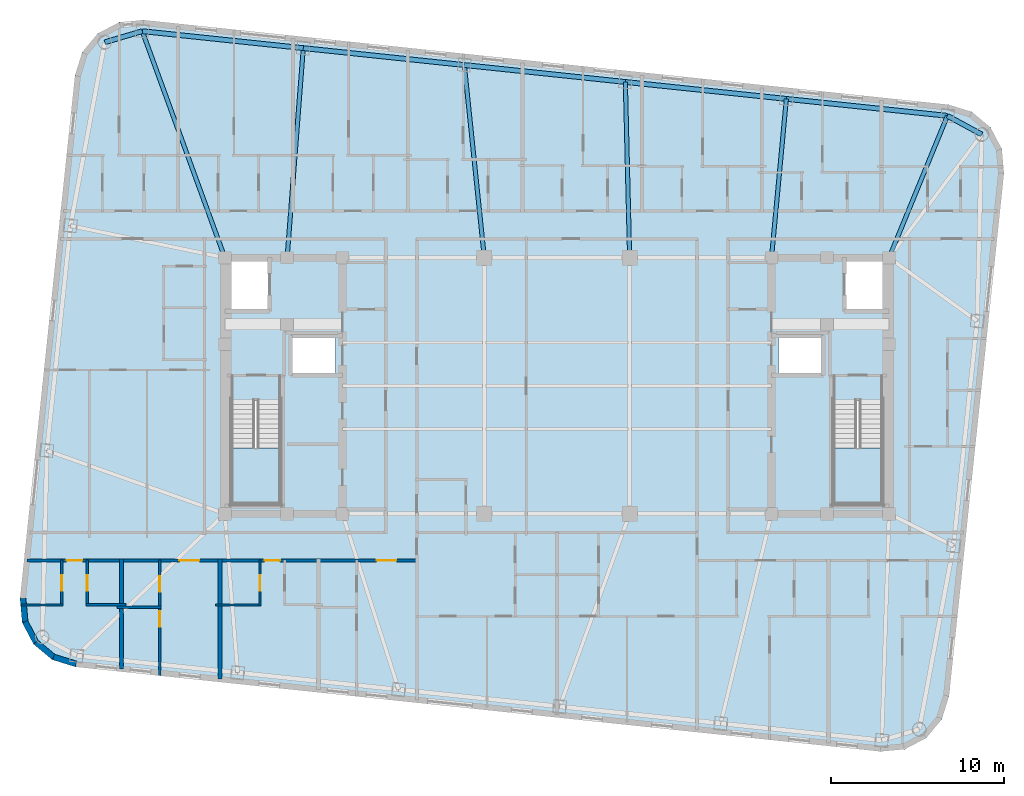
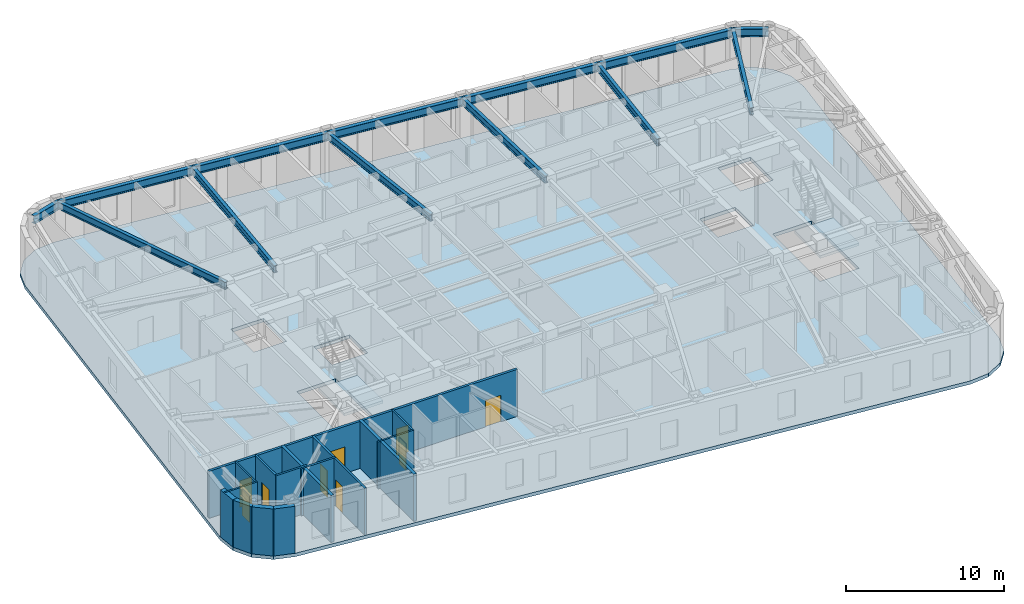
# One storey, part 2 of 11: 16 walls, 13 beams, 9 doors, 3 slabs, 9 openings, 2 elements without a shape of their own.
"""IFC4 building model written with IfcOpenShell, lengths in metres."""

from ifc_helpers import new_model, si_unit, direction, frame, frame_2d, origin, origin_2d, place, context, subcontext, project, spatial, polyline, rectangle, i_section, outline, extrude, material, layer, layer_set, material_profile, profile_set, type_object, element, fill, aggregate, save


model = new_model("IFC4")

# Units and contexts
model_context = context("Model", 3, precision=1e-05, world=origin(), true_north=direction((0.0, 1.0)))
body_context = subcontext(model_context, "Body", "Model", "MODEL_VIEW")
ifc_project = project(units=[si_unit("LENGTHUNIT", "METRE"), si_unit("AREAUNIT", "SQUARE_METRE"), si_unit("VOLUMEUNIT", "CUBIC_METRE"), si_unit("PLANEANGLEUNIT", "RADIAN"), si_unit("MASSUNIT", "GRAM", prefix="KILO")], contexts=[model_context])

# Site, building, storey
site_placement = place(None, origin())
site = spatial("IfcSite", under=ifc_project, at=site_placement, CompositionType="ELEMENT")
building_placement = place(site_placement, origin())
building = spatial("IfcBuilding", under=site, at=building_placement, Name="Voryun Gate Residences", CompositionType="ELEMENT")
storey_placement = place(building_placement, frame((0.0, 0.0, 299.0)))
storey = spatial("IfcBuildingStorey", under=building, at=storey_placement, Name="L74", CompositionType="ELEMENT", Elevation=299.0)

# Beams
ifc_material_1 = material(Name="Steel SM355", Category="steel")
ifc_material_profile_1 = material_profile(ifc_material_1, i_section(OverallWidth=0.280029296875, OverallDepth=0.6201171875, WebThickness=0.013916015625, FlangeThickness=0.02197265625, FilletRadius=0.01806640625, at=origin_2d()), Name="H-620x280x14x22")
ifc_profile_set_1 = profile_set([ifc_material_profile_1], Name="Steel SM355")
beam_type_1 = type_object("IfcBeamType", Name="BM_EXO_SPANDREL_H", PredefinedType="SPANDREL", material=ifc_profile_set_1)
beam_1_placement = place(storey_placement, frame((24.55322265625, 14.52734375, 3.324951171875), z_axis=(-0.878844363117, 0.477108567746, 0.0), x_axis=(-0.477108567746, -0.878844363117, 0.0)))
element("IfcBeam", 1, at=beam_1_placement, inside=storey, type_object=beam_type_1, Name="BM-L74-SPAND-10", PredefinedType="SPANDREL", context=body_context, shape_type="SweptSolid", body=[
    extrude(i_section(OverallWidth=0.280029296875, OverallDepth=0.6201171875, WebThickness=0.013916015625, FlangeThickness=0.02197265625, FilletRadius=0.01806640625, at=origin_2d()), origin(), (0.0, 0.0, 1.0), 2.257568359375),
])
beam_2_placement = place(storey_placement, frame((22.569091796875, 15.6044921875, 3.324951171875), z_axis=(-0.994520592114, 0.104540862157, 0.0), x_axis=(-0.104540862157, -0.994520592114, 0.0)))
element("IfcBeam", 2, at=beam_2_placement, inside=storey, type_object=beam_type_1, Name="BM-L74-SPAND-11", PredefinedType="SPANDREL", context=body_context, shape_type="SweptSolid", body=[
    extrude(i_section(OverallWidth=0.280029296875, OverallDepth=0.6201171875, WebThickness=0.013916015625, FlangeThickness=0.02197265625, FilletRadius=0.01806640625, at=origin_2d()), origin(), (0.0, 0.0, 1.0), 9.360107421875),
])
beam_3_placement = place(storey_placement, frame((13.26025390625, 16.5830078125, 3.324951171875), z_axis=(-0.994523018663, 0.104517775278, 0.0), x_axis=(-0.104517775278, -0.994523018663, 0.0)))
element("IfcBeam", 3, at=beam_3_placement, inside=storey, type_object=beam_type_1, Name="BM-L74-SPAND-12", PredefinedType="SPANDREL", context=body_context, shape_type="SweptSolid", body=[
    extrude(i_section(OverallWidth=0.280029296875, OverallDepth=0.6201171875, WebThickness=0.013916015625, FlangeThickness=0.02197265625, FilletRadius=0.01806640625, at=origin_2d()), origin(), (0.0, 0.0, 1.0), 9.35986328125),
])
for number, where, z_axis, x_axis, name in (
    (4, (3.95166015625, 17.561279296875, 3.324951171875), (-0.994520592114, 0.104540862157, 0.0), (-0.104540862157, -0.994520592114, 0.0), "BM-L74-SPAND-13"),
    (5, (-5.357177734375, 18.539794921875, 3.324951171875), (-0.994523303591, 0.104515064059, 0.0), (-0.104515064059, -0.994523303591, 0.0), "BM-L74-SPAND-14"),
):
    element("IfcBeam", number, at=place(storey_placement, frame(where, z_axis=z_axis, x_axis=x_axis)), inside=storey, type_object=beam_type_1, Name=name, PredefinedType="SPANDREL", context=body_context, shape_type="SweptSolid", body=[
        extrude(i_section(OverallWidth=0.280029296875, OverallDepth=0.6201171875, WebThickness=0.013916015625, FlangeThickness=0.02197265625, FilletRadius=0.01806640625, at=origin_2d()), origin(), (0.0, 0.0, 1.0), 9.360107421875),
    ])
beam_4_placement = place(storey_placement, frame((-14.666015625, 19.51806640625, 3.324951171875), z_axis=(-0.994520307047, 0.104543574031, 0.0), x_axis=(-0.104543574031, -0.994520307047, 0.0)))
element("IfcBeam", 6, at=beam_4_placement, inside=storey, type_object=beam_type_1, Name="BM-L74-SPAND-15", PredefinedType="SPANDREL", context=body_context, shape_type="SweptSolid", body=[
    extrude(i_section(OverallWidth=0.280029296875, OverallDepth=0.6201171875, WebThickness=0.013916015625, FlangeThickness=0.02197265625, FilletRadius=0.01806640625, at=origin_2d()), origin(), (0.0, 0.0, 1.0), 9.35986328125),
])
beam_5_placement = place(storey_placement, frame((-23.974609375, 20.49658203125, 3.324951171875), z_axis=(-0.958805748412, -0.28406255792, 0.0), x_axis=(0.28406255792, -0.958805748412, 0.0)))
element("IfcBeam", 7, at=beam_5_placement, inside=storey, type_object=beam_type_1, Name="BM-L74-SPAND-16", PredefinedType="SPANDREL", context=body_context, shape_type="SweptSolid", body=[
    extrude(i_section(OverallWidth=0.280029296875, OverallDepth=0.6201171875, WebThickness=0.013916015625, FlangeThickness=0.02197265625, FilletRadius=0.01806640625, at=origin_2d()), origin(), (0.0, 0.0, 1.0), 2.2578125),
])
ifc_material_2 = material(Name="Steel SM355", Category="steel")
ifc_material_profile_2 = material_profile(ifc_material_2, i_section(OverallWidth=0.239990234375, OverallDepth=0.550048828125, WebThickness=0.011962890625, FlangeThickness=0.02001953125, FilletRadius=0.01806640625, at=origin_2d()), Name="H-550x240x12x20")
ifc_profile_set_2 = profile_set([ifc_material_profile_2], Name="Steel SM355")
beam_type_2 = type_object("IfcBeamType", Name="BM_GIRD_550", PredefinedType="USERDEFINED", material=ifc_profile_set_2)
beam_6_placement = place(storey_placement, frame((19.199951171875, 7.39990234375, 3.360107421875), z_axis=(0.379860811741, 0.925043655026, 0.0), x_axis=(-0.925043655026, 0.379860811741, 0.0)))
element("IfcBeam", 8, at=beam_6_placement, inside=storey, type_object=beam_type_2, Name="BM-L74-RAD-N1", ObjectType="GIRDER", PredefinedType="USERDEFINED", context=body_context, shape_type="SweptSolid", body=[
    extrude(i_section(OverallWidth=0.239990234375, OverallDepth=0.550048828125, WebThickness=0.011962890625, FlangeThickness=0.02001953125, FilletRadius=0.01806640625, at=origin_2d()), origin(), (0.0, 0.0, 1.0), 8.869384765625),
])
beam_7_placement = place(storey_placement, frame((12.39990234375, 7.39990234375, 3.360107421875), z_axis=(0.093280030115, 0.995639912811, 0.0), x_axis=(-0.995639912811, 0.093280030115, 0.0)))
element("IfcBeam", 9, at=beam_7_placement, inside=storey, type_object=beam_type_2, Name="BM-L74-RAD-N2", ObjectType="GIRDER", PredefinedType="USERDEFINED", context=body_context, shape_type="SweptSolid", body=[
    extrude(i_section(OverallWidth=0.239990234375, OverallDepth=0.550048828125, WebThickness=0.011962890625, FlangeThickness=0.02001953125, FilletRadius=0.01806640625, at=origin_2d()), origin(), (0.0, 0.0, 1.0), 9.223388671875),
])
beam_8_placement = place(storey_placement, frame((4.199951171875, 7.39990234375, 3.360107421875), z_axis=(-0.024427489288, 0.999701604364, 0.0), x_axis=(-0.999701604364, -0.024427489288, 0.0)))
element("IfcBeam", 10, at=beam_8_placement, inside=storey, type_object=beam_type_2, Name="BM-L74-RAD-N3", ObjectType="GIRDER", PredefinedType="USERDEFINED", context=body_context, shape_type="SweptSolid", body=[
    extrude(i_section(OverallWidth=0.239990234375, OverallDepth=0.550048828125, WebThickness=0.011962890625, FlangeThickness=0.02001953125, FilletRadius=0.01806640625, at=origin_2d()), origin(), (0.0, 0.0, 1.0), 10.164306640625),
])
beam_9_placement = place(storey_placement, frame((-4.199951171875, 7.39990234375, 3.360107421875), z_axis=(-0.103325291149, 0.994647618109, 0.0), x_axis=(-0.994647618109, -0.103325291149, 0.0)))
element("IfcBeam", 11, at=beam_9_placement, inside=storey, type_object=beam_type_2, Name="BM-L74-RAD-N4", ObjectType="GIRDER", PredefinedType="USERDEFINED", context=body_context, shape_type="SweptSolid", body=[
    extrude(i_section(OverallWidth=0.239990234375, OverallDepth=0.550048828125, WebThickness=0.011962890625, FlangeThickness=0.02001953125, FilletRadius=0.01806640625, at=origin_2d()), origin(), (0.0, 0.0, 1.0), 11.199951171875),
])
beam_10_placement = place(storey_placement, frame((-15.60009765625, 7.39990234375, 3.360107421875), z_axis=(0.07685317718, 0.997042420942, 0.0), x_axis=(-0.997042420942, 0.07685317718, 0.0)))
element("IfcBeam", 12, at=beam_10_placement, inside=storey, type_object=beam_type_2, Name="BM-L74-RAD-N5", ObjectType="GIRDER", PredefinedType="USERDEFINED", context=body_context, shape_type="SweptSolid", body=[
    extrude(i_section(OverallWidth=0.239990234375, OverallDepth=0.550048828125, WebThickness=0.011962890625, FlangeThickness=0.02001953125, FilletRadius=0.01806640625, at=origin_2d()), origin(), (0.0, 0.0, 1.0), 12.154052734375),
])
beam_11_placement = place(storey_placement, frame((-19.199951171875, 7.39990234375, 3.360107421875), z_axis=(-0.342517773666, 0.939511348906, 0.0), x_axis=(-0.939511348906, -0.342517773666, 0.0)))
element("IfcBeam", 13, at=beam_11_placement, inside=storey, type_object=beam_type_2, Name="BM-L74-RAD-N6", ObjectType="GIRDER", PredefinedType="USERDEFINED", context=body_context, shape_type="SweptSolid", body=[
    extrude(i_section(OverallWidth=0.239990234375, OverallDepth=0.550048828125, WebThickness=0.011962890625, FlangeThickness=0.02001953125, FilletRadius=0.01806640625, at=origin_2d()), origin(), (0.0, 0.0, 1.0), 13.93994140625),
])

# Slab
ifc_material_3 = material(Name="Concrete C40/50", Category="concrete")
ifc_layer_1 = layer(ifc_material_3, 0.264892578125, Name="SLB_PENT_265")
ifc_layer_set_1 = layer_set([ifc_layer_1], Name="Concrete C40/50")
slab_type_1 = type_object("IfcSlabType", Name="SLB_PENT_265", PredefinedType="FLOOR", material=ifc_layer_set_1)
slab_1_placement = place(storey_placement, frame((0.0, 0.0, -0.264892578125)))
element("IfcSlab", 14, at=slab_1_placement, inside=storey, type_object=slab_type_1, Name="L74 Structural Floor Slab", PredefinedType="FLOOR", context=body_context, shape_type="SweptSolid", body=[
    extrude(outline(polyline([(-27.8369140625, -16.2509765625), (-29.178466796875, -15.83447265625), (-30.25830078125, -14.936279296875), (-30.912353515625, -13.693115234375), (-31.041015625, -12.29443359375), (-27.86328125, 17.93896484375), (-27.44677734375, 19.280517578125), (-26.548583984375, 20.3603515625), (-25.305419921875, 21.014404296875), (-23.90673828125, 21.14306640625), (22.636962890625, 16.2509765625), (23.978515625, 15.83447265625), (25.058349609375, 14.936279296875), (25.71240234375, 13.693115234375), (25.8408203125, 12.29443359375), (22.663330078125, -17.93896484375), (22.246826171875, -19.280517578125), (21.3486328125, -20.3603515625), (20.10546875, -21.014404296875), (18.706787109375, -21.14306640625), (-27.8369140625, -16.2509765625)]), holes=[polyline([(-15.97509765625, -0.840087890625), (-18.824951171875, -0.840087890625), (-18.824951171875, -6.85009765625), (-15.97509765625, -6.85009765625), (-15.97509765625, -0.840087890625)]), polyline([(18.824951171875, -6.85009765625), (18.824951171875, -0.840087890625), (15.97509765625, -0.840087890625), (15.97509765625, -6.85009765625), (18.824951171875, -6.85009765625)]), polyline([(-12.800048828125, 2.89990234375), (-15.39990234375, 2.89990234375), (-15.39990234375, 0.60009765625), (-12.800048828125, 0.60009765625), (-12.800048828125, 2.89990234375)]), polyline([(12.800048828125, 2.89990234375), (12.800048828125, 0.60009765625), (15.39990234375, 0.60009765625), (15.39990234375, 2.89990234375), (12.800048828125, 2.89990234375)]), polyline([(-16.60009765625, 7.199951171875), (-19.0, 7.199951171875), (-19.0, 4.300048828125), (-16.60009765625, 4.300048828125), (-16.60009765625, 7.199951171875)]), polyline([(19.0, 7.199951171875), (16.60009765625, 7.199951171875), (16.60009765625, 4.300048828125), (19.0, 4.300048828125), (19.0, 7.199951171875)])]), origin(), (0.0, 0.0, 1.0), 0.264892578125),
])

# Stair, slab
ifc_material_4 = material(Name="Concrete C40/50", Category="concrete")
stair_type = type_object("IfcStairType", Name="STR_CORE_DOGLEG_1350", PredefinedType="HALF_TURN_STAIR", material=ifc_material_4)
stair_1_placement = place(storey_placement, origin())
stair_1 = element("IfcStair", 15, at=stair_1_placement, inside=storey, type_object=stair_type, Name="L74 Special Escape Stair ST-W1", PredefinedType="HALF_TURN_STAIR")
ifc_material_5 = material(Name="Concrete C40/50", Category="concrete")
ifc_layer_2 = layer(ifc_material_5, 0.199951171875, Name="SLB_STAIR_LANDING_200")
ifc_layer_set_2 = layer_set([ifc_layer_2], Name="Concrete C40/50")
slab_type_2 = type_object("IfcSlabType", Name="SLB_STAIR_LANDING_200", PredefinedType="LANDING", material=ifc_layer_set_2)
slab_2_placement = place(storey_placement, frame((0.0, 0.0, 1.75)))
slab_2 = element("IfcSlab", 16, at=slab_2_placement, type_object=slab_type_2, Name="ST-W1 landing 1", PredefinedType="LANDING", context=body_context, shape_type="SweptSolid", body=[
    extrude(outline(polyline([(-18.824951171875, -3.60009765625), (-18.824951171875, -6.85009765625), (-15.97509765625, -6.85009765625), (-15.97509765625, -3.60009765625), (-18.824951171875, -3.60009765625)])), origin(), (0.0, 0.0, 1.0), 0.199951171875),
])
aggregate(stair_1, [slab_2])

stair_2_placement = place(storey_placement, origin())
stair_2 = element("IfcStair", 17, at=stair_2_placement, inside=storey, type_object=stair_type, Name="L74 Special Escape Stair ST-E1", PredefinedType="HALF_TURN_STAIR")
slab_3_placement = place(storey_placement, frame((0.0, 0.0, 1.75)))
slab_3 = element("IfcSlab", 18, at=slab_3_placement, type_object=slab_type_2, Name="ST-E1 landing 1", PredefinedType="LANDING", context=body_context, shape_type="SweptSolid", body=[
    extrude(outline(polyline([(15.97509765625, -3.60009765625), (15.97509765625, -6.85009765625), (18.824951171875, -6.85009765625), (18.824951171875, -3.60009765625), (15.97509765625, -3.60009765625)])), origin(), (0.0, 0.0, 1.0), 0.199951171875),
])
aggregate(stair_2, [slab_3])

# Wall, openings, doors
ifc_material_6 = material(Name="Gypsum acoustic fireboard")
ifc_layer_3 = layer(ifc_material_6, 0.179931640625, Name="W_CORR_RATED_180")
ifc_layer_set_3 = layer_set([ifc_layer_3], Name="Gypsum acoustic fireboard")
wall_type_1 = type_object("IfcWallType", Name="W_CORR_RATED_180", PredefinedType="PARTITIONING", material=ifc_layer_set_3)
wall_1_placement = place(storey_placement, frame((-30.639404296875, -10.10009765625, 0.0), z_axis=(0.0, 0.0, 1.0), x_axis=(1.0, 0.0, 0.0)))
wall_1 = element("IfcWall", 19, at=wall_1_placement, inside=storey, type_object=wall_type_1, Name="Partition wall WP-L74-SCORR-W", PredefinedType="PARTITIONING", context=body_context, shape_type="SweptSolid", body=[
    extrude(rectangle(XDim=22.559326171875, YDim=0.179931640625, at=frame_2d((11.27978515625, 0.0))), origin(), (0.0, 0.0, 1.0), 3.635009765625),
])
opening_1_placement = place(wall_1_placement, frame((2.297607421875, 0.0, 0.0)))
opening_1 = element("IfcOpeningElement", 20, at=opening_1_placement, cuts=wall_1, Name="Opening D-INT-2", PredefinedType="OPENING", context=body_context, shape_type="SweptSolid", body=[
    extrude(rectangle(XDim=0.89990234375, YDim=2.050048828125, at=frame_2d((0.449951171875, 1.02490234375))), frame((0.0, 0.099853515625, 0.0), z_axis=(0.0, -1.0, 0.0), x_axis=(1.0, 0.0, 0.0)), (0.0, 0.0, 1.0), 0.199951171875),
])
opening_2_placement = place(wall_1_placement, frame((8.81201171875, 0.0, 0.0)))
opening_2 = element("IfcOpeningElement", 21, at=opening_2_placement, cuts=wall_1, Name="Opening D-UNIT-1", PredefinedType="OPENING", context=body_context, shape_type="SweptSolid", body=[
    extrude(rectangle(XDim=1.14990234375, YDim=2.050048828125, at=frame_2d((0.574951171875, 1.02490234375))), frame((0.0, 0.099853515625, 0.0), z_axis=(0.0, -1.0, 0.0), x_axis=(1.0, 0.0, 0.0)), (0.0, 0.0, 1.0), 0.199951171875),
])
opening_3_placement = place(wall_1_placement, frame((13.737548828125, 0.0, 0.0)))
opening_3 = element("IfcOpeningElement", 22, at=opening_3_placement, cuts=wall_1, Name="Opening D-INT-2", PredefinedType="OPENING", context=body_context, shape_type="SweptSolid", body=[
    extrude(rectangle(XDim=0.89990234375, YDim=2.050048828125, at=frame_2d((0.449951171875, 1.02490234375))), frame((0.0, 0.099853515625, 0.0), z_axis=(0.0, -1.0, 0.0), x_axis=(1.0, 0.0, 0.0)), (0.0, 0.0, 1.0), 0.199951171875),
])
opening_4_placement = place(wall_1_placement, frame((20.208984375, 0.0, 0.0)))
opening_4 = element("IfcOpeningElement", 23, at=opening_4_placement, cuts=wall_1, Name="Opening D-UNIT-1", PredefinedType="OPENING", context=body_context, shape_type="SweptSolid", body=[
    extrude(rectangle(XDim=1.14990234375, YDim=2.050048828125, at=frame_2d((0.574951171875, 1.02490234375))), frame((0.0, 0.099853515625, 0.0), z_axis=(0.0, -1.0, 0.0), x_axis=(1.0, 0.0, 0.0)), (0.0, 0.0, 1.0), 0.199951171875),
])
ifc_material_7 = material(Name="Architectural oak veneer")
door_type_1 = type_object("IfcDoorType", Name="DR_INT_BATH_900", OperationType="NOTDEFINED", PredefinedType="DOOR", material=ifc_material_7)
door_1_placement = place(opening_1_placement, origin())
door_1 = element("IfcDoor", 24, at=door_1_placement, inside=storey, type_object=door_type_1, Name="Door DR-L74-SENT-1", OperationType="SINGLE_SWING_RIGHT", OverallHeight=2.050048828125, OverallWidth=0.89990234375, PredefinedType="DOOR", context=body_context, shape_type="SweptSolid", body=[
    extrude(rectangle(XDim=0.89990234375, YDim=2.050048828125, at=frame_2d((0.449951171875, 1.02490234375))), frame((0.0, 0.02490234375, 0.0), z_axis=(0.0, -1.0, 0.0), x_axis=(1.0, 0.0, 0.0)), (0.0, 0.0, 1.0), 0.050048828125),
])
fill(opening_1, door_1)
door_2_placement = place(opening_3_placement, origin())
door_2 = element("IfcDoor", 25, at=door_2_placement, inside=storey, type_object=door_type_1, Name="Door DR-L74-SENT-3", OperationType="SINGLE_SWING_RIGHT", OverallHeight=2.050048828125, OverallWidth=0.89990234375, PredefinedType="DOOR", context=body_context, shape_type="SweptSolid", body=[
    extrude(rectangle(XDim=0.89990234375, YDim=2.050048828125, at=frame_2d((0.449951171875, 1.02490234375))), frame((0.0, 0.02490234375, 0.0), z_axis=(0.0, -1.0, 0.0), x_axis=(1.0, 0.0, 0.0)), (0.0, 0.0, 1.0), 0.050048828125),
])
fill(opening_3, door_2)
ifc_material_8 = material(Name="Armoured timber-clad fire door", Category="wood")
door_type_2 = type_object("IfcDoorType", Name="DR_UNIT_ENTRY_1150", OperationType="NOTDEFINED", PredefinedType="DOOR", material=ifc_material_8)
door_3_placement = place(opening_2_placement, origin())
door_3 = element("IfcDoor", 26, at=door_3_placement, inside=storey, type_object=door_type_2, Name="Door DR-L74-SENT-2", OperationType="SINGLE_SWING_LEFT", OverallHeight=2.050048828125, OverallWidth=1.14990234375, PredefinedType="DOOR", context=body_context, shape_type="SweptSolid", body=[
    extrude(rectangle(XDim=1.14990234375, YDim=2.050048828125, at=frame_2d((0.574951171875, 1.02490234375))), frame((0.0, 0.02490234375, 0.0), z_axis=(0.0, -1.0, 0.0), x_axis=(1.0, 0.0, 0.0)), (0.0, 0.0, 1.0), 0.050048828125),
])
fill(opening_2, door_3)
door_4_placement = place(opening_4_placement, origin())
door_4 = element("IfcDoor", 27, at=door_4_placement, inside=storey, type_object=door_type_2, Name="Door DR-L74-SENT-4", OperationType="SINGLE_SWING_LEFT", OverallHeight=2.050048828125, OverallWidth=1.14990234375, PredefinedType="DOOR", context=body_context, shape_type="SweptSolid", body=[
    extrude(rectangle(XDim=1.14990234375, YDim=2.050048828125, at=frame_2d((0.574951171875, 1.02490234375))), frame((0.0, 0.02490234375, 0.0), z_axis=(0.0, -1.0, 0.0), x_axis=(1.0, 0.0, 0.0)), (0.0, 0.0, 1.0), 0.050048828125),
])
fill(opening_4, door_4)

# Walls
ifc_material_9 = material(Name="Charcoal terracotta masonry", Category="masonry")
ifc_layer_4 = layer(ifc_material_9, 0.340087890625, Name="W_EXT_TERRACOTTA_340")
ifc_layer_set_4 = layer_set([ifc_layer_4], Name="Charcoal terracotta masonry")
wall_type_2 = type_object("IfcWallType", Name="W_EXT_TERRACOTTA_340", PredefinedType="ELEMENTEDWALL", material=ifc_layer_set_4)
wall_2_placement = place(storey_placement, frame((-27.802490234375, -16.083740234375, 0.0), z_axis=(0.0, 0.0, 1.0), x_axis=(-0.955007802701, 0.296580674994, 0.0)))
element("IfcWall", 28, at=wall_2_placement, inside=storey, type_object=wall_type_2, Name="Exterior wall WEXT-L74-02", PredefinedType="ELEMENTEDWALL", context=body_context, shape_type="SweptSolid", body=[
    extrude(rectangle(XDim=1.354248046875, YDim=0.340087890625, at=frame_2d((0.67724609375, 0.0))), origin(), (0.0, 0.0, 1.0), 3.635009765625),
])
wall_3_placement = place(storey_placement, frame((-29.095703125, -15.68212890625, 0.0), z_axis=(0.0, 0.0, 1.0), x_axis=(-0.768864427906, 0.639411832469, 0.0)))
element("IfcWall", 29, at=wall_3_placement, inside=storey, type_object=wall_type_2, Name="Exterior wall WEXT-L74-03", PredefinedType="ELEMENTEDWALL", context=body_context, shape_type="SweptSolid", body=[
    extrude(rectangle(XDim=1.337158203125, YDim=0.340087890625, at=frame_2d((0.66845703125, 0.0))), origin(), (0.0, 0.0, 1.0), 3.635009765625),
])
wall_4_placement = place(storey_placement, frame((-30.123779296875, -14.8271484375, 0.0), z_axis=(0.0, 0.0, 1.0), x_axis=(-0.465528132217, 0.885033083062, 0.0)))
element("IfcWall", 30, at=wall_4_placement, inside=storey, type_object=wall_type_2, Name="Exterior wall WEXT-L74-04", PredefinedType="ELEMENTEDWALL", context=body_context, shape_type="SweptSolid", body=[
    extrude(rectangle(XDim=1.3369140625, YDim=0.340087890625, at=frame_2d((0.66845703125, 0.0))), origin(), (0.0, 0.0, 1.0), 3.635009765625),
])
wall_5_placement = place(storey_placement, frame((-30.74609375, -13.64404296875, 0.0), z_axis=(0.0, 0.0, 1.0), x_axis=(-0.091592370975, 0.995796584438, 0.0)))
element("IfcWall", 31, at=wall_5_placement, inside=storey, type_object=wall_type_2, Name="Exterior wall WEXT-L74-05", PredefinedType="ELEMENTEDWALL", context=body_context, shape_type="SweptSolid", body=[
    extrude(rectangle(XDim=1.35400390625, YDim=0.340087890625, at=frame_2d((0.677001953125, 0.0))), origin(), (0.0, 0.0, 1.0), 3.635009765625),
])
ifc_material_10 = material(Name="Concrete C40/50", Category="concrete")
ifc_layer_5 = layer(ifc_material_10, 0.219970703125, Name="W_PARTY_ACOUSTIC_220")
ifc_layer_set_5 = layer_set([ifc_layer_5], Name="Concrete C40/50")
wall_type_3 = type_object("IfcWallType", Name="W_PARTY_ACOUSTIC_220", PredefinedType="PARTITIONING", material=ifc_layer_set_5)
wall_6_placement = place(storey_placement, frame((-25.177978515625, -16.359619140625, 0.0), z_axis=(0.0, 0.0, 1.0), x_axis=(0.0, 1.0, 0.0)))
element("IfcWall", 32, at=wall_6_placement, inside=storey, type_object=wall_type_3, Name="Partition wall WP-L74-SPTY-1", PredefinedType="PARTITIONING", context=body_context, shape_type="SweptSolid", body=[
    extrude(rectangle(XDim=6.339599609375, YDim=0.219970703125, at=frame_2d((3.169921875, 0.0))), origin(), (0.0, 0.0, 1.0), 3.635009765625),
])
wall_7_placement = place(storey_placement, frame((-19.47802734375, -16.958740234375, 0.0), z_axis=(0.0, 0.0, 1.0), x_axis=(0.0, 1.0, 0.0)))
element("IfcWall", 33, at=wall_7_placement, inside=storey, type_object=wall_type_3, Name="Partition wall WP-L74-SPTY-2", PredefinedType="PARTITIONING", context=body_context, shape_type="SweptSolid", body=[
    extrude(rectangle(XDim=6.938720703125, YDim=0.219970703125, at=frame_2d((3.46923828125, 0.0))), origin(), (0.0, 0.0, 1.0), 3.635009765625),
])

# Wall, opening, door
ifc_material_11 = material(Name="Gypsum acoustic partition")
ifc_layer_6 = layer(ifc_material_11, 0.125, Name="W_UNIT_PART_125")
ifc_layer_set_6 = layer_set([ifc_layer_6], Name="Gypsum acoustic partition")
wall_type_4 = type_object("IfcWallType", Name="W_UNIT_PART_125", PredefinedType="PARTITIONING", material=ifc_layer_set_6)
wall_8_placement = place(storey_placement, frame((-28.626953125, -12.72998046875, 0.0), z_axis=(0.0, 0.0, 1.0), x_axis=(0.0, 1.0, 0.0)))
wall_8 = element("IfcWall", 34, at=wall_8_placement, inside=storey, type_object=wall_type_4, Name="Partition wall WP-L74-S1-CVK", PredefinedType="PARTITIONING", context=body_context, shape_type="SweptSolid", body=[
    extrude(rectangle(XDim=2.64990234375, YDim=0.125, at=frame_2d((1.324951171875, 0.0))), origin(), (0.0, 0.0, 1.0), 3.635009765625),
])
opening_5_placement = place(wall_8_placement, frame((0.875, 0.0, 0.0)))
opening_5 = element("IfcOpeningElement", 35, at=opening_5_placement, cuts=wall_8, Name="Opening D-INT-2", PredefinedType="OPENING", context=body_context, shape_type="SweptSolid", body=[
    extrude(rectangle(XDim=0.89990234375, YDim=2.050048828125, at=frame_2d((0.449951171875, 1.02490234375))), frame((0.0, 0.072509765625, 0.0), z_axis=(0.0, -1.0, 0.0), x_axis=(1.0, 0.0, 0.0)), (0.0, 0.0, 1.0), 0.14501953125),
])
door_5_placement = place(opening_5_placement, origin())
door_5 = element("IfcDoor", 36, at=door_5_placement, inside=storey, type_object=door_type_1, Name="Door DR-L74-S1-DK", OperationType="SINGLE_SWING_LEFT", OverallHeight=2.050048828125, OverallWidth=0.89990234375, PredefinedType="DOOR", context=body_context, shape_type="SweptSolid", body=[
    extrude(rectangle(XDim=0.89990234375, YDim=2.050048828125, at=frame_2d((0.449951171875, 1.02490234375))), frame((0.0, 0.02490234375, 0.0), z_axis=(0.0, -1.0, 0.0), x_axis=(1.0, 0.0, 0.0)), (0.0, 0.0, 1.0), 0.050048828125),
])
fill(opening_5, door_5)

# Wall
wall_9_placement = place(storey_placement, frame((-30.986328125, -12.669921875, 0.0), z_axis=(0.0, 0.0, 1.0), x_axis=(1.0, 0.0, 0.0)))
element("IfcWall", 37, at=wall_9_placement, inside=storey, type_object=wall_type_4, Name="Partition wall WP-L74-S1-CHK", PredefinedType="PARTITIONING", context=body_context, shape_type="SweptSolid", body=[
    extrude(rectangle(XDim=2.41943359375, YDim=0.125, at=frame_2d((1.209716796875, 0.0))), origin(), (0.0, 0.0, 1.0), 3.635009765625),
])

# Wall, opening, door
wall_10_placement = place(storey_placement, frame((-17.16796875, -12.72998046875, 0.0), z_axis=(0.0, 0.0, 1.0), x_axis=(0.0, 1.0, 0.0)))
wall_10 = element("IfcWall", 38, at=wall_10_placement, inside=storey, type_object=wall_type_4, Name="Partition wall WP-L74-S3-CVK", PredefinedType="PARTITIONING", context=body_context, shape_type="SweptSolid", body=[
    extrude(rectangle(XDim=2.64990234375, YDim=0.125, at=frame_2d((1.324951171875, 0.0))), origin(), (0.0, 0.0, 1.0), 3.635009765625),
])
opening_6_placement = place(wall_10_placement, frame((0.875, 0.0, 0.0)))
opening_6 = element("IfcOpeningElement", 39, at=opening_6_placement, cuts=wall_10, Name="Opening D-INT-2", PredefinedType="OPENING", context=body_context, shape_type="SweptSolid", body=[
    extrude(rectangle(XDim=0.89990234375, YDim=2.050048828125, at=frame_2d((0.449951171875, 1.02490234375))), frame((0.0, 0.072509765625, 0.0), z_axis=(0.0, -1.0, 0.0), x_axis=(1.0, 0.0, 0.0)), (0.0, 0.0, 1.0), 0.14501953125),
])
door_6_placement = place(opening_6_placement, origin())
door_6 = element("IfcDoor", 40, at=door_6_placement, inside=storey, type_object=door_type_1, Name="Door DR-L74-S3-DK", OperationType="SINGLE_SWING_LEFT", OverallHeight=2.050048828125, OverallWidth=0.89990234375, PredefinedType="DOOR", context=body_context, shape_type="SweptSolid", body=[
    extrude(rectangle(XDim=0.89990234375, YDim=2.050048828125, at=frame_2d((0.449951171875, 1.02490234375))), frame((0.0, 0.02490234375, 0.0), z_axis=(0.0, -1.0, 0.0), x_axis=(1.0, 0.0, 0.0)), (0.0, 0.0, 1.0), 0.050048828125),
])
fill(opening_6, door_6)

# Wall
wall_11_placement = place(storey_placement, frame((-19.738037109375, -12.669921875, 0.0), z_axis=(0.0, 0.0, 1.0), x_axis=(1.0, 0.0, 0.0)))
element("IfcWall", 41, at=wall_11_placement, inside=storey, type_object=wall_type_4, Name="Partition wall WP-L74-S3-CHK", PredefinedType="PARTITIONING", context=body_context, shape_type="SweptSolid", body=[
    extrude(rectangle(XDim=2.630126953125, YDim=0.125, at=frame_2d((1.31494140625, 0.0))), origin(), (0.0, 0.0, 1.0), 3.635009765625),
])

# Wall, opening, door
ifc_material_12 = material(Name="Gypsum moisture-resistant partition")
ifc_layer_7 = layer(ifc_material_12, 0.14990234375, Name="W_WET_PLUMB_150")
ifc_layer_set_7 = layer_set([ifc_layer_7], Name="Gypsum moisture-resistant partition")
wall_type_5 = type_object("IfcWallType", Name="W_WET_PLUMB_150", PredefinedType="PLUMBINGWALL", material=ifc_layer_set_7)
wall_12_placement = place(storey_placement, frame((-27.155029296875, -12.72998046875, 0.0), z_axis=(0.0, 0.0, 1.0), x_axis=(0.0, 1.0, 0.0)))
wall_12 = element("IfcWall", 42, at=wall_12_placement, inside=storey, type_object=wall_type_5, Name="Partition wall WP-L74-S1-CVB", PredefinedType="PLUMBINGWALL", context=body_context, shape_type="SweptSolid", body=[
    extrude(rectangle(XDim=2.64990234375, YDim=0.14990234375, at=frame_2d((1.324951171875, 0.0))), origin(), (0.0, 0.0, 1.0), 3.635009765625),
])
opening_7_placement = place(wall_12_placement, frame((0.875, 0.0, 0.0)))
opening_7 = element("IfcOpeningElement", 43, at=opening_7_placement, cuts=wall_12, Name="Opening D-INT-2", PredefinedType="OPENING", context=body_context, shape_type="SweptSolid", body=[
    extrude(rectangle(XDim=0.89990234375, YDim=2.050048828125, at=frame_2d((0.449951171875, 1.02490234375))), frame((0.0, 0.0849609375, 0.0), z_axis=(0.0, -1.0, 0.0), x_axis=(1.0, 0.0, 0.0)), (0.0, 0.0, 1.0), 0.169921875),
])
door_7_placement = place(opening_7_placement, origin())
door_7 = element("IfcDoor", 44, at=door_7_placement, inside=storey, type_object=door_type_1, Name="Door DR-L74-S1-DB", OperationType="SINGLE_SWING_RIGHT", OverallHeight=2.050048828125, OverallWidth=0.89990234375, PredefinedType="DOOR", context=body_context, shape_type="SweptSolid", body=[
    extrude(rectangle(XDim=0.89990234375, YDim=2.050048828125, at=frame_2d((0.449951171875, 1.02490234375))), frame((0.0, 0.02490234375, 0.0), z_axis=(0.0, -1.0, 0.0), x_axis=(1.0, 0.0, 0.0)), (0.0, 0.0, 1.0), 0.050048828125),
])
fill(opening_7, door_7)

# Walls
wall_13_placement = place(storey_placement, frame((-27.215087890625, -12.669921875, 0.0), z_axis=(0.0, 0.0, 1.0), x_axis=(1.0, 0.0, 0.0)))
element("IfcWall", 45, at=wall_13_placement, inside=storey, type_object=wall_type_5, Name="Partition wall WP-L74-S1-CHB", PredefinedType="PLUMBINGWALL", context=body_context, shape_type="SweptSolid", body=[
    extrude(rectangle(XDim=2.297119140625, YDim=0.14990234375, at=frame_2d((1.1484375, 0.0))), origin(), (0.0, 0.0, 1.0), 3.635009765625),
])
wall_14_placement = place(storey_placement, frame((-25.43798828125, -12.800048828125, 0.0), z_axis=(0.0, 0.0, 1.0), x_axis=(1.0, 0.0, 0.0)))
element("IfcWall", 46, at=wall_14_placement, inside=storey, type_object=wall_type_5, Name="Partition wall WP-L74-S2-SKB", PredefinedType="PLUMBINGWALL", context=body_context, shape_type="SweptSolid", body=[
    extrude(rectangle(XDim=2.550048828125, YDim=0.14990234375, at=frame_2d((1.27490234375, 0.0))), origin(), (0.0, 0.0, 1.0), 3.635009765625),
])

# Wall, opening, door
wall_15_placement = place(storey_placement, frame((-22.968017578125, -16.74267578125, 0.0), z_axis=(0.0, 0.0, 1.0), x_axis=(0.0, 1.0, 0.0)))
wall_15 = element("IfcWall", 47, at=wall_15_placement, inside=storey, type_object=wall_type_5, Name="Partition wall WP-L74-S2-SVT1", PredefinedType="PLUMBINGWALL", context=body_context, shape_type="SweptSolid", body=[
    extrude(rectangle(XDim=3.982666015625, YDim=0.14990234375, at=frame_2d((1.9912109375, 0.0))), origin(), (0.0, 0.0, 1.0), 3.635009765625),
])
opening_8_placement = place(wall_15_placement, frame((2.81591796875, 0.0, 0.0)))
opening_8 = element("IfcOpeningElement", 48, at=opening_8_placement, cuts=wall_15, Name="Opening D-INT-2", PredefinedType="OPENING", context=body_context, shape_type="SweptSolid", body=[
    extrude(rectangle(XDim=0.89990234375, YDim=2.050048828125, at=frame_2d((0.449951171875, 1.02490234375))), frame((0.0, 0.0849609375, 0.0), z_axis=(0.0, -1.0, 0.0), x_axis=(1.0, 0.0, 0.0)), (0.0, 0.0, 1.0), 0.169921875),
])
door_8_placement = place(opening_8_placement, origin())
door_8 = element("IfcDoor", 49, at=door_8_placement, inside=storey, type_object=door_type_1, Name="Door DR-L74-S2-DK", OperationType="SINGLE_SWING_LEFT", OverallHeight=2.050048828125, OverallWidth=0.89990234375, PredefinedType="DOOR", context=body_context, shape_type="SweptSolid", body=[
    extrude(rectangle(XDim=0.89990234375, YDim=2.050048828125, at=frame_2d((0.449951171875, 1.02490234375))), frame((0.0, 0.02490234375, 0.0), z_axis=(0.0, -1.0, 0.0), x_axis=(1.0, 0.0, 0.0)), (0.0, 0.0, 1.0), 0.050048828125),
])
fill(opening_8, door_8)

wall_16_placement = place(storey_placement, frame((-22.968017578125, -12.840087890625, 0.0), z_axis=(0.0, 0.0, 1.0), x_axis=(0.0, 1.0, 0.0)))
wall_16 = element("IfcWall", 50, at=wall_16_placement, inside=storey, type_object=wall_type_5, Name="Partition wall WP-L74-S2-SVT2", PredefinedType="PLUMBINGWALL", context=body_context, shape_type="SweptSolid", body=[
    extrude(rectangle(XDim=2.760009765625, YDim=0.14990234375, at=frame_2d((1.3798828125, 0.0))), origin(), (0.0, 0.0, 1.0), 3.635009765625),
])
opening_9_placement = place(wall_16_placement, frame((0.929931640625, 0.0, 0.0)))
opening_9 = element("IfcOpeningElement", 51, at=opening_9_placement, cuts=wall_16, Name="Opening D-INT-2", PredefinedType="OPENING", context=body_context, shape_type="SweptSolid", body=[
    extrude(rectangle(XDim=0.89990234375, YDim=2.050048828125, at=frame_2d((0.449951171875, 1.02490234375))), frame((0.0, 0.0849609375, 0.0), z_axis=(0.0, -1.0, 0.0), x_axis=(1.0, 0.0, 0.0)), (0.0, 0.0, 1.0), 0.169921875),
])
door_9_placement = place(opening_9_placement, origin())
door_9 = element("IfcDoor", 52, at=door_9_placement, inside=storey, type_object=door_type_1, Name="Door DR-L74-S2-DB", OperationType="SINGLE_SWING_RIGHT", OverallHeight=2.050048828125, OverallWidth=0.89990234375, PredefinedType="DOOR", context=body_context, shape_type="SweptSolid", body=[
    extrude(rectangle(XDim=0.89990234375, YDim=2.050048828125, at=frame_2d((0.449951171875, 1.02490234375))), frame((0.0, 0.02490234375, 0.0), z_axis=(0.0, -1.0, 0.0), x_axis=(1.0, 0.0, 0.0)), (0.0, 0.0, 1.0), 0.050048828125),
])
fill(opening_9, door_9)

save(model, "model.ifc")
